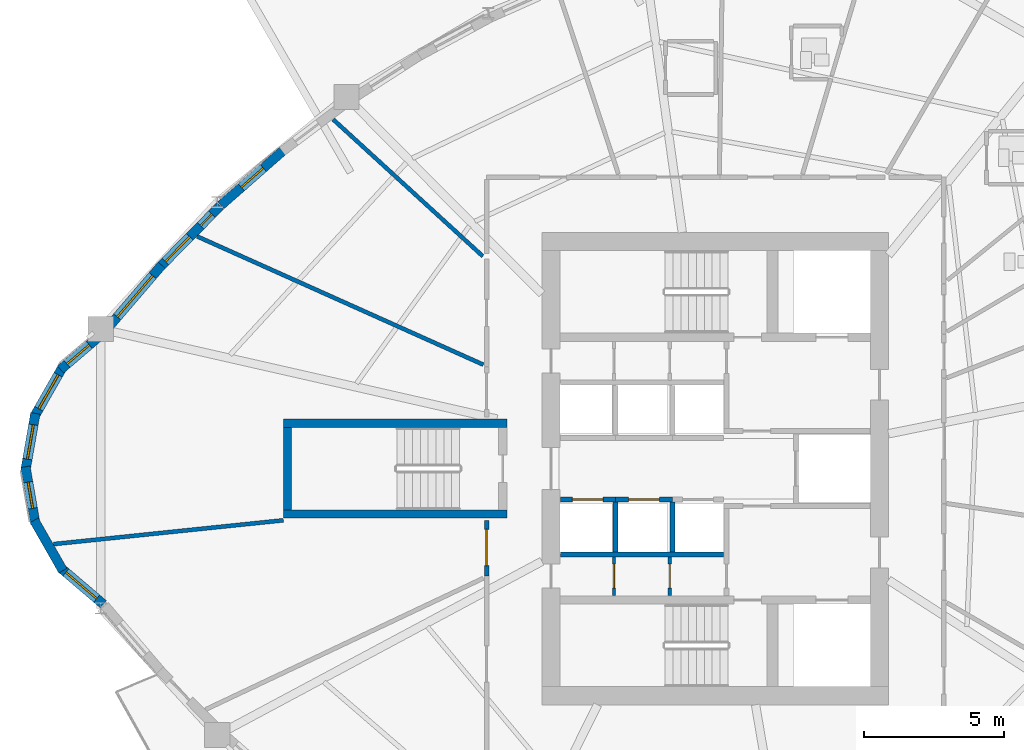
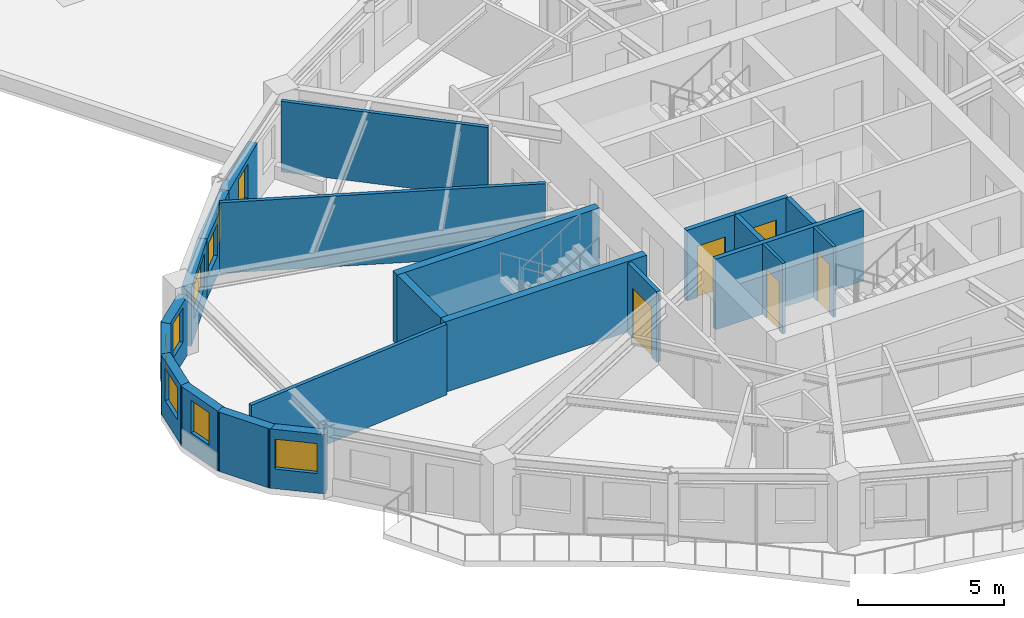
# One storey, part 4 of 13: 23 walls, 9 windows, 5 doors, 14 openings.
"""IFC4 building model written with IfcOpenShell, lengths in metres."""

from ifc_helpers import new_model, si_unit, direction, frame, frame_2d, origin, place, context, subcontext, project, spatial, rectangle, extrude, source, transform, mapped, material, layer, layer_set, type_object, element, fill, save


model = new_model("IFC4")

# Units and contexts
model_context = context("Model", 3, precision=1e-05, world=origin(), true_north=direction((0.0, 1.0)))
body_context = subcontext(model_context, "Body", "Model", "MODEL_VIEW")
ifc_project = project(units=[si_unit("LENGTHUNIT", "METRE"), si_unit("AREAUNIT", "SQUARE_METRE"), si_unit("VOLUMEUNIT", "CUBIC_METRE"), si_unit("PLANEANGLEUNIT", "RADIAN"), si_unit("MASSUNIT", "GRAM", prefix="KILO")], contexts=[model_context])

# Site, building, storey
site_placement = place(None, origin())
site = spatial("IfcSite", under=ifc_project, at=site_placement, CompositionType="ELEMENT")
building_placement = place(site_placement, origin())
building = spatial("IfcBuilding", under=site, at=building_placement, Name="Qafzar Sky-Pleat Residences", CompositionType="ELEMENT")
storey_placement = place(building_placement, frame((0.0, 0.0, 89.60009765625)))
storey = spatial("IfcBuildingStorey", under=building, at=storey_placement, Name="L26", CompositionType="ELEMENT", Elevation=89.60009765625)

# Wall, opening, door
ifc_material_1 = material(Name="Acoustic gypsum plasterboard partition", Category="gypsum")
ifc_layer_1 = layer(ifc_material_1, 0.159912109375)
ifc_layer_set_1 = layer_set([ifc_layer_1], Name="Acoustic gypsum plasterboard partition")
wall_type_1 = type_object("IfcWallType", Name="PART-COR-160", PredefinedType="PARTITIONING", material=ifc_layer_set_1)
wall_1_placement = place(storey_placement, frame((22.169921875, 22.1640625, 0.0), z_axis=(0.0, 0.0, 1.0), x_axis=(0.0, 1.0, 0.0)))
wall_1 = element("IfcWall", 1, at=wall_1_placement, inside=storey, type_object=wall_type_1, Name="L26 Partition Wall PART-L26-PW-014", PredefinedType="PARTITIONING", context=body_context, shape_type="SweptSolid", body=[
    extrude(rectangle(XDim=1.98583984375, YDim=0.159912109375, at=frame_2d((0.992919921875, 0.0))), origin(), (0.0, 0.0, 1.0), 2.949951171875),
])
opening_1_placement = place(wall_1_placement, frame((0.364990234375, 0.0, 0.0)))
opening_1 = element("IfcOpeningElement", 2, at=opening_1_placement, cuts=wall_1, Name="Opening ID-05", PredefinedType="OPENING", context=body_context, shape_type="SweptSolid", body=[
    extrude(rectangle(XDim=1.300048828125, YDim=2.10009765625, at=frame_2d((0.64990234375, 1.050048828125))), frame((0.0, 0.08984375, 0.0), z_axis=(0.0, -1.0, 0.0), x_axis=(1.0, 0.0, 0.0)), (0.0, 0.0, 1.0), 0.179931640625),
])
ifc_material_2 = material(Name="Timber-faced fire door", Category="wood")
door_type_1 = type_object("IfcDoorType", Name="DR-LNG-1300", OperationType="DOUBLE_DOOR_SINGLE_SWING", PredefinedType="DOOR", material=ifc_material_2)
shared_shape_1 = source(origin(), body_context, "Body", "SweptSolid", [
    extrude(rectangle(XDim=1.300048828125, YDim=2.10009765625, at=frame_2d((0.64990234375, 1.050048828125))), frame((0.0, 0.02490234375, 0.0), z_axis=(0.0, -1.0, 0.0), x_axis=(1.0, 0.0, 0.0)), (0.0, 0.0, 1.0), 0.050048828125),
])
door_1_placement = place(opening_1_placement, origin())
door_1 = element("IfcDoor", 3, at=door_1_placement, inside=storey, type_object=door_type_1, Name="L26 Research Conference Room Door", OperationType="DOUBLE_DOOR_SINGLE_SWING", OverallHeight=2.10009765625, OverallWidth=1.300048828125, PredefinedType="DOOR", context=body_context, shape_type="MappedRepresentation", body=[
    mapped(shared_shape_1, transform((0.0, 0.0, 0.0), x_axis=(1.0, 0.0, 0.0), y_axis=(0.0, 1.0, 0.0), z_axis=(0.0, 0.0, 1.0), scale=1.0)),
])
fill(opening_1, door_1)

# Wall
ifc_material_3 = material(Name="Concrete blockwork partition", Category="masonry")
ifc_layer_2 = layer(ifc_material_3, 0.179931640625)
ifc_layer_set_2 = layer_set([ifc_layer_2], Name="Concrete blockwork partition")
wall_type_2 = type_object("IfcWallType", Name="PART-SHAFT-180", PredefinedType="PARTITIONING", material=ifc_layer_set_2)
wall_2_placement = place(storey_placement, frame((24.81005859375, 22.919921875, 0.0), z_axis=(0.0, 0.0, 1.0), x_axis=(1.0, 0.0, 0.0)))
element("IfcWall", 4, at=wall_2_placement, inside=storey, type_object=wall_type_2, Name="L26 Partition Wall PART-L26-P13-S", PredefinedType="PARTITIONING", context=body_context, shape_type="SweptSolid", body=[
    extrude(rectangle(XDim=5.83984375, YDim=0.179931640625, at=frame_2d((2.919921875, 0.0))), origin(), (0.0, 0.0, 1.0), 2.949951171875),
])

# Wall, opening, door
wall_3_placement = place(storey_placement, frame((24.81005859375, 24.89990234375, 0.0), z_axis=(0.0, 0.0, 1.0), x_axis=(1.0, 0.0, 0.0)))
wall_3 = element("IfcWall", 5, at=wall_3_placement, inside=storey, type_object=wall_type_2, Name="L26 Partition Wall PART-L26-P1-N", PredefinedType="PARTITIONING", context=body_context, shape_type="SweptSolid", body=[
    extrude(rectangle(XDim=1.96484375, YDim=0.179931640625, at=frame_2d((0.982421875, 0.0))), origin(), (0.0, 0.0, 1.0), 2.949951171875),
])
opening_2_placement = place(wall_3_placement, frame((0.4326171875, 0.0, 0.0)))
opening_2 = element("IfcOpeningElement", 6, at=opening_2_placement, cuts=wall_3, Name="Opening LD-01", PredefinedType="OPENING", context=body_context, shape_type="SweptSolid", body=[
    extrude(rectangle(XDim=1.10009765625, YDim=2.14990234375, at=frame_2d((0.550048828125, 1.074951171875))), frame((0.0, 0.10009765625, 0.0), z_axis=(0.0, -1.0, 0.0), x_axis=(1.0, 0.0, 0.0)), (0.0, 0.0, 1.0), 0.199951171875),
])
ifc_material_4 = material(Name="Stainless steel sliding landing door", Category="steel")
door_type_2 = type_object("IfcDoorType", Name="DR-LIFT-P", OperationType="DOUBLE_DOOR_SLIDING", PredefinedType="DOOR", material=ifc_material_4)
shared_shape_2 = source(origin(), body_context, "Body", "SweptSolid", [
    extrude(rectangle(XDim=1.10009765625, YDim=2.14990234375, at=frame_2d((0.550048828125, 1.074951171875))), frame((0.0, 0.02490234375, 0.0), z_axis=(0.0, -1.0, 0.0), x_axis=(1.0, 0.0, 0.0)), (0.0, 0.0, 1.0), 0.050048828125),
])
door_2_placement = place(opening_2_placement, origin())
door_2 = element("IfcDoor", 7, at=door_2_placement, inside=storey, type_object=door_type_2, Name="L26 Passenger Lift P1 Landing Door", OperationType="DOUBLE_DOOR_SLIDING", OverallHeight=2.14990234375, OverallWidth=1.10009765625, PredefinedType="DOOR", context=body_context, shape_type="MappedRepresentation", body=[
    mapped(shared_shape_2, transform((0.0, 0.0, 0.0), x_axis=(1.0, 0.0, 0.0), y_axis=(0.0, 1.0, 0.0), z_axis=(0.0, 0.0, 1.0), scale=1.0)),
])
fill(opening_2, door_2)

wall_4_placement = place(storey_placement, frame((26.77490234375, 24.89990234375, 0.0), z_axis=(0.0, 0.0, 1.0), x_axis=(1.0, 0.0, 0.0)))
wall_4 = element("IfcWall", 8, at=wall_4_placement, inside=storey, type_object=wall_type_2, Name="L26 Partition Wall PART-L26-P2-N", PredefinedType="PARTITIONING", context=body_context, shape_type="SweptSolid", body=[
    extrude(rectangle(XDim=2.050048828125, YDim=0.179931640625, at=frame_2d((1.02490234375, 0.0))), origin(), (0.0, 0.0, 1.0), 2.949951171875),
])
opening_3_placement = place(wall_4_placement, frame((0.47509765625, 0.0, 0.0)))
opening_3 = element("IfcOpeningElement", 9, at=opening_3_placement, cuts=wall_4, Name="Opening LD-01", PredefinedType="OPENING", context=body_context, shape_type="SweptSolid", body=[
    extrude(rectangle(XDim=1.10009765625, YDim=2.14990234375, at=frame_2d((0.550048828125, 1.074951171875))), frame((0.0, 0.10009765625, 0.0), z_axis=(0.0, -1.0, 0.0), x_axis=(1.0, 0.0, 0.0)), (0.0, 0.0, 1.0), 0.199951171875),
])
door_3_placement = place(opening_3_placement, origin())
door_3 = element("IfcDoor", 10, at=door_3_placement, inside=storey, type_object=door_type_2, Name="L26 Passenger Lift P2 Landing Door", OperationType="DOUBLE_DOOR_SLIDING", OverallHeight=2.14990234375, OverallWidth=1.10009765625, PredefinedType="DOOR", context=body_context, shape_type="MappedRepresentation", body=[
    mapped(shared_shape_2, transform((0.0, 0.0, 0.0), x_axis=(1.0, 0.0, 0.0), y_axis=(0.0, 1.0, 0.0), z_axis=(0.0, 0.0, 1.0), scale=1.0)),
])
fill(opening_3, door_3)

# Walls
for number, where, z_axis, x_axis, name in (
    (11, (26.77490234375, 23.02001953125, 0.0), (0.0, 0.0, 1.0), (0.0, 1.0, 0.0), "L26 Partition Wall PART-L26-P13-DIV-1"),
    (12, (28.824951171875, 23.02001953125, 0.0), (0.0, 0.0, 1.0), (0.0, 1.0, 0.0), "L26 Partition Wall PART-L26-P13-DIV-2"),
):
    element("IfcWall", number, at=place(storey_placement, frame(where, z_axis=z_axis, x_axis=x_axis)), inside=storey, type_object=wall_type_2, Name=name, PredefinedType="PARTITIONING", context=body_context, shape_type="SweptSolid", body=[
        extrude(rectangle(XDim=1.780029296875, YDim=0.179931640625, at=frame_2d((0.89013671875, 0.0))), origin(), (0.0, 0.0, 1.0), 2.949951171875),
    ])

# Wall, opening, door
ifc_material_5 = material(Name="Gypsum plasterboard partition", Category="gypsum")
ifc_layer_3 = layer(ifc_material_5, 0.114990234375)
ifc_layer_set_3 = layer_set([ifc_layer_3], Name="Gypsum plasterboard partition")
wall_type_3 = type_object("IfcWallType", Name="PART-SVC-115", PredefinedType="PARTITIONING", material=ifc_layer_set_3)
wall_5_placement = place(storey_placement, frame((26.72509765625, 21.4599609375, 0.0), z_axis=(0.0, 0.0, 1.0), x_axis=(0.0, 1.0, 0.0)))
wall_5 = element("IfcWall", 13, at=wall_5_placement, inside=storey, type_object=wall_type_3, Name="L26 Partition Wall PART-L26-KC-SW-1", PredefinedType="PARTITIONING", context=body_context, shape_type="SweptSolid", body=[
    extrude(rectangle(XDim=1.380126953125, YDim=0.114990234375, at=frame_2d((0.68994140625, 0.0))), origin(), (0.0, 0.0, 1.0), 2.949951171875),
])
opening_4_placement = place(wall_5_placement, frame((0.260009765625, 0.0, 0.0)))
opening_4 = element("IfcOpeningElement", 14, at=opening_4_placement, cuts=wall_5, Name="Opening ID-09", PredefinedType="OPENING", context=body_context, shape_type="SweptSolid", body=[
    extrude(rectangle(XDim=0.860107421875, YDim=2.050048828125, at=frame_2d((0.43017578125, 1.02490234375))), frame((0.0, 0.0673828125, 0.0), z_axis=(0.0, -1.0, 0.0), x_axis=(1.0, 0.0, 0.0)), (0.0, 0.0, 1.0), 0.135009765625),
])
door_type_3 = type_object("IfcDoorType", Name="DR-SVC-860", OperationType="NOTDEFINED", PredefinedType="DOOR", material=ifc_material_2)
shared_shape_3 = source(origin(), body_context, "Body", "SweptSolid", [
    extrude(rectangle(XDim=0.860107421875, YDim=2.050048828125, at=frame_2d((0.43017578125, 1.02490234375))), frame((0.0, 0.02490234375, 0.0), z_axis=(0.0, -1.0, 0.0), x_axis=(1.0, 0.0, 0.0)), (0.0, 0.0, 1.0), 0.050048828125),
])
door_4_placement = place(opening_4_placement, origin())
door_4 = element("IfcDoor", 15, at=door_4_placement, inside=storey, type_object=door_type_3, Name="L26 Core South Cupboard 1 Door", OperationType="SINGLE_SWING_RIGHT", OverallHeight=2.050048828125, OverallWidth=0.860107421875, PredefinedType="DOOR", context=body_context, shape_type="MappedRepresentation", body=[
    mapped(shared_shape_3, transform((0.0, 0.0, 0.0), x_axis=(1.0, 0.0, 0.0), y_axis=(0.0, 1.0, 0.0), z_axis=(0.0, 0.0, 1.0), scale=1.0)),
])
fill(opening_4, door_4)

wall_6_placement = place(storey_placement, frame((28.72509765625, 21.4599609375, 0.0), z_axis=(0.0, 0.0, 1.0), x_axis=(0.0, 1.0, 0.0)))
wall_6 = element("IfcWall", 16, at=wall_6_placement, inside=storey, type_object=wall_type_3, Name="L26 Partition Wall PART-L26-KC-SW-2", PredefinedType="PARTITIONING", context=body_context, shape_type="SweptSolid", body=[
    extrude(rectangle(XDim=1.380126953125, YDim=0.114990234375, at=frame_2d((0.68994140625, 0.0))), origin(), (0.0, 0.0, 1.0), 2.949951171875),
])
opening_5_placement = place(wall_6_placement, frame((0.260009765625, 0.0, 0.0)))
opening_5 = element("IfcOpeningElement", 17, at=opening_5_placement, cuts=wall_6, Name="Opening ID-09", PredefinedType="OPENING", context=body_context, shape_type="SweptSolid", body=[
    extrude(rectangle(XDim=0.860107421875, YDim=2.050048828125, at=frame_2d((0.43017578125, 1.02490234375))), frame((0.0, 0.0673828125, 0.0), z_axis=(0.0, -1.0, 0.0), x_axis=(1.0, 0.0, 0.0)), (0.0, 0.0, 1.0), 0.135009765625),
])
door_5_placement = place(opening_5_placement, origin())
door_5 = element("IfcDoor", 18, at=door_5_placement, inside=storey, type_object=door_type_3, Name="L26 Core South Cupboard 2 Door", OperationType="SINGLE_SWING_RIGHT", OverallHeight=2.050048828125, OverallWidth=0.860107421875, PredefinedType="DOOR", context=body_context, shape_type="MappedRepresentation", body=[
    mapped(shared_shape_3, transform((0.0, 0.0, 0.0), x_axis=(1.0, 0.0, 0.0), y_axis=(0.0, 1.0, 0.0), z_axis=(0.0, 0.0, 1.0), scale=1.0)),
])
fill(opening_5, door_5)

# Walls
ifc_layer_4 = layer(ifc_material_1, 0.14501953125)
ifc_layer_set_4 = layer_set([ifc_layer_4], Name="Acoustic gypsum plasterboard partition")
wall_type_4 = type_object("IfcWallType", Name="PART-UNIT-145", PredefinedType="PARTITIONING", material=ifc_layer_set_4)
wall_7_placement = place(storey_placement, frame((11.816650390625, 34.306640625, 0.0), z_axis=(0.0, 0.0, 1.0), x_axis=(0.912528092457, -0.409014034572, 0.0)))
element("IfcWall", 19, at=wall_7_placement, inside=storey, type_object=wall_type_4, Name="L26 Partition Wall PART-L26-PW-022", PredefinedType="PARTITIONING", context=body_context, shape_type="SweptSolid", body=[
    extrude(rectangle(XDim=11.217529296875, YDim=0.14501953125, at=frame_2d((5.60888671875, 0.0))), origin(), (0.0, 0.0, 1.0), 2.949951171875),
])
wall_8_placement = place(storey_placement, frame((6.677978515625, 23.298583984375, 0.0), z_axis=(0.0, 0.0, 1.0), x_axis=(0.994682199009, 0.102991858774, 0.0)))
element("IfcWall", 20, at=wall_8_placement, inside=storey, type_object=wall_type_4, Name="L26 Partition Wall PART-L26-PW-028", PredefinedType="PARTITIONING", context=body_context, shape_type="SweptSolid", body=[
    extrude(rectangle(XDim=8.265869140625, YDim=0.14501953125, at=frame_2d((4.1328125, 0.0))), origin(), (0.0, 0.0, 1.0), 2.949951171875),
])
wall_9_placement = place(storey_placement, frame((16.68310546875, 38.49072265625, 0.0), z_axis=(0.0, 0.0, 1.0), x_axis=(0.738145700324, -0.674641330704, 0.0)))
element("IfcWall", 21, at=wall_9_placement, inside=storey, type_object=wall_type_4, Name="L26 Partition Wall PART-L26-PW-029", PredefinedType="PARTITIONING", context=body_context, shape_type="SweptSolid", body=[
    extrude(rectangle(XDim=7.250732421875, YDim=0.14501953125, at=frame_2d((3.62548828125, 0.0))), origin(), (0.0, 0.0, 1.0), 2.949951171875),
])

# Wall, opening, window
ifc_material_6 = material(Name="Precast concrete C40/50 with honed Riyadh limestone", Category="concrete")
ifc_layer_5 = layer(ifc_material_6, 0.340087890625)
ifc_layer_set_5 = layer_set([ifc_layer_5], Name="Precast concrete C40/50 with honed Riyadh limestone")
wall_type_5 = type_object("IfcWallType", Name="WALL-EXT-340", PredefinedType="SOLIDWALL", material=ifc_layer_set_5)
wall_10_placement = place(storey_placement, frame((8.30029296875, 30.7177734375, 0.0), z_axis=(0.0, 0.0, 1.0), x_axis=(-0.761191299493, -0.648527413126, 0.0)))
wall_10 = element("IfcWall", 22, at=wall_10_placement, inside=storey, type_object=wall_type_5, Name="L26 Limestone Facade Wall 1", PredefinedType="SOLIDWALL", context=body_context, shape_type="SweptSolid", body=[
    extrude(rectangle(XDim=1.80517578125, YDim=0.340087890625, at=frame_2d((0.902587890625, 0.0))), origin(), (0.0, 0.0, 1.0), 2.47998046875),
])
opening_6_placement = place(wall_10_placement, frame((0.452392578125, 0.0, 0.820068359375)))
opening_6 = element("IfcOpeningElement", 23, at=opening_6_placement, cuts=wall_10, Name="Opening WN-06", PredefinedType="OPENING", context=body_context, shape_type="SweptSolid", body=[
    extrude(rectangle(XDim=1.050048828125, YDim=1.449951171875, at=frame_2d((0.52490234375, 0.72509765625))), frame((0.0, 0.18017578125, 0.0), z_axis=(0.0, -1.0, 0.0), x_axis=(1.0, 0.0, 0.0)), (0.0, 0.0, 1.0), 0.360107421875),
])
ifc_material_7 = material(Name="Solar-control low-E glass in bronze aluminium frame", Category="glass")
window_type_1 = type_object("IfcWindowType", Name="WIN-06", PartitioningType="SINGLE_PANEL", PredefinedType="WINDOW", material=ifc_material_7)
shared_shape_4 = source(origin(), body_context, "Body", "SweptSolid", [
    extrude(rectangle(XDim=1.050048828125, YDim=1.449951171875, at=frame_2d((0.52490234375, 0.72509765625))), frame((0.0, 0.030029296875, 0.0), z_axis=(0.0, -1.0, 0.0), x_axis=(1.0, 0.0, 0.0)), (0.0, 0.0, 1.0), 0.06005859375),
])
window_1_placement = place(opening_6_placement, origin())
window_1 = element("IfcWindow", 24, at=window_1_placement, inside=storey, type_object=window_type_1, Name="L26 Punched Facade Window 01", OverallHeight=1.449951171875, OverallWidth=1.050048828125, PartitioningType="SINGLE_PANEL", PredefinedType="WINDOW", context=body_context, shape_type="MappedRepresentation", body=[
    mapped(shared_shape_4, transform((0.0, 0.0, 0.0), x_axis=(1.0, 0.0, 0.0), y_axis=(0.0, 1.0, 0.0), z_axis=(0.0, 0.0, 1.0), scale=1.0)),
])
fill(opening_6, window_1)

wall_11_placement = place(storey_placement, frame((7.011474609375, 29.64990234375, 0.0), z_axis=(0.0, 0.0, 1.0), x_axis=(-0.496037473582, -0.868301114132, 0.0)))
wall_11 = element("IfcWall", 25, at=wall_11_placement, inside=storey, type_object=wall_type_5, Name="L26 Limestone Facade Wall 2", PredefinedType="SOLIDWALL", context=body_context, shape_type="SweptSolid", body=[
    extrude(rectangle(XDim=2.072998046875, YDim=0.340087890625, at=frame_2d((1.03662109375, 0.0))), origin(), (0.0, 0.0, 1.0), 2.47998046875),
])
opening_7_placement = place(wall_11_placement, frame((0.33642578125, 0.0, 0.820068359375)))
opening_7 = element("IfcOpeningElement", 26, at=opening_7_placement, cuts=wall_11, Name="Opening WN-10", PredefinedType="OPENING", context=body_context, shape_type="SweptSolid", body=[
    extrude(rectangle(XDim=1.39990234375, YDim=1.35009765625, at=frame_2d((0.699951171875, 0.675048828125))), frame((0.0, 0.18017578125, 0.0), z_axis=(0.0, -1.0, 0.0), x_axis=(1.0, 0.0, 0.0)), (0.0, 0.0, 1.0), 0.360107421875),
])
window_type_2 = type_object("IfcWindowType", Name="WIN-10", PartitioningType="SINGLE_PANEL", PredefinedType="WINDOW", material=ifc_material_7)
shared_shape_5 = source(origin(), body_context, "Body", "SweptSolid", [
    extrude(rectangle(XDim=1.39990234375, YDim=1.35009765625, at=frame_2d((0.699951171875, 0.675048828125))), frame((0.0, 0.030029296875, 0.0), z_axis=(0.0, -1.0, 0.0), x_axis=(1.0, 0.0, 0.0)), (0.0, 0.0, 1.0), 0.06005859375),
])
window_2_placement = place(opening_7_placement, origin())
window_2 = element("IfcWindow", 27, at=window_2_placement, inside=storey, type_object=window_type_2, Name="L26 Punched Facade Window 02", OverallHeight=1.35009765625, OverallWidth=1.39990234375, PartitioningType="SINGLE_PANEL", PredefinedType="WINDOW", context=body_context, shape_type="MappedRepresentation", body=[
    mapped(shared_shape_5, transform((0.0, 0.0, 0.0), x_axis=(1.0, 0.0, 0.0), y_axis=(0.0, 1.0, 0.0), z_axis=(0.0, 0.0, 1.0), scale=1.0)),
])
fill(opening_7, window_2)

wall_12_placement = place(storey_placement, frame((6.0283203125, 27.975341796875, 0.0), z_axis=(0.0, 0.0, 1.0), x_axis=(-0.172186061474, -0.985064444711, 0.0)))
wall_12 = element("IfcWall", 28, at=wall_12_placement, inside=storey, type_object=wall_type_5, Name="L26 Limestone Facade Wall 3", PredefinedType="SOLIDWALL", context=body_context, shape_type="SweptSolid", body=[
    extrude(rectangle(XDim=2.072998046875, YDim=0.340087890625, at=frame_2d((1.03662109375, 0.0))), origin(), (0.0, 0.0, 1.0), 2.47998046875),
])
opening_8_placement = place(wall_12_placement, frame((0.41162109375, 0.0, 0.820068359375)))
opening_8 = element("IfcOpeningElement", 29, at=opening_8_placement, cuts=wall_12, Name="Opening WN-11", PredefinedType="OPENING", context=body_context, shape_type="SweptSolid", body=[
    extrude(rectangle(XDim=1.25, YDim=1.35009765625, at=frame_2d((0.625, 0.675048828125))), frame((0.0, 0.18017578125, 0.0), z_axis=(0.0, -1.0, 0.0), x_axis=(1.0, 0.0, 0.0)), (0.0, 0.0, 1.0), 0.360107421875),
])
window_type_3 = type_object("IfcWindowType", Name="WIN-11", PartitioningType="SINGLE_PANEL", PredefinedType="WINDOW", material=ifc_material_7)
shared_shape_6 = source(origin(), body_context, "Body", "SweptSolid", [
    extrude(rectangle(XDim=1.25, YDim=1.35009765625, at=frame_2d((0.625, 0.675048828125))), frame((0.0, 0.030029296875, 0.0), z_axis=(0.0, -1.0, 0.0), x_axis=(1.0, 0.0, 0.0)), (0.0, 0.0, 1.0), 0.06005859375),
])
window_3_placement = place(opening_8_placement, origin())
window_3 = element("IfcWindow", 30, at=window_3_placement, inside=storey, type_object=window_type_3, Name="L26 Punched Facade Window 03", OverallHeight=1.35009765625, OverallWidth=1.25, PartitioningType="SINGLE_PANEL", PredefinedType="WINDOW", context=body_context, shape_type="MappedRepresentation", body=[
    mapped(shared_shape_6, transform((0.0, 0.0, 0.0), x_axis=(1.0, 0.0, 0.0), y_axis=(0.0, 1.0, 0.0), z_axis=(0.0, 0.0, 1.0), scale=1.0)),
])
fill(opening_8, window_3)

wall_13_placement = place(storey_placement, frame((5.67138671875, 26.066650390625, 0.0), z_axis=(0.0, 0.0, 1.0), x_axis=(0.172186061474, -0.985064444711, 0.0)))
wall_13 = element("IfcWall", 31, at=wall_13_placement, inside=storey, type_object=wall_type_5, Name="L26 Limestone Facade Wall 4", PredefinedType="SOLIDWALL", context=body_context, shape_type="SweptSolid", body=[
    extrude(rectangle(XDim=2.072998046875, YDim=0.340087890625, at=frame_2d((1.03662109375, 0.0))), origin(), (0.0, 0.0, 1.0), 2.47998046875),
])
opening_9_placement = place(wall_13_placement, frame((0.5615234375, 0.0, 0.820068359375)))
opening_9 = element("IfcOpeningElement", 32, at=opening_9_placement, cuts=wall_13, Name="Opening WN-12", PredefinedType="OPENING", context=body_context, shape_type="SweptSolid", body=[
    extrude(rectangle(XDim=0.949951171875, YDim=1.35009765625, at=frame_2d((0.47509765625, 0.675048828125))), frame((0.0, 0.18017578125, 0.0), z_axis=(0.0, -1.0, 0.0), x_axis=(1.0, 0.0, 0.0)), (0.0, 0.0, 1.0), 0.360107421875),
])
window_type_4 = type_object("IfcWindowType", Name="WIN-12", PartitioningType="SINGLE_PANEL", PredefinedType="WINDOW", material=ifc_material_7)
shared_shape_7 = source(origin(), body_context, "Body", "SweptSolid", [
    extrude(rectangle(XDim=0.949951171875, YDim=1.35009765625, at=frame_2d((0.47509765625, 0.675048828125))), frame((0.0, 0.030029296875, 0.0), z_axis=(0.0, -1.0, 0.0), x_axis=(1.0, 0.0, 0.0)), (0.0, 0.0, 1.0), 0.06005859375),
])
window_4_placement = place(opening_9_placement, origin())
window_4 = element("IfcWindow", 33, at=window_4_placement, inside=storey, type_object=window_type_4, Name="L26 Punched Facade Window 04", OverallHeight=1.35009765625, OverallWidth=0.949951171875, PartitioningType="SINGLE_PANEL", PredefinedType="WINDOW", context=body_context, shape_type="MappedRepresentation", body=[
    mapped(shared_shape_7, transform((0.0, 0.0, 0.0), x_axis=(1.0, 0.0, 0.0), y_axis=(0.0, 1.0, 0.0), z_axis=(0.0, 0.0, 1.0), scale=1.0)),
])
fill(opening_9, window_4)

# Wall
wall_14_placement = place(storey_placement, frame((5.983154296875, 24.150146484375, 0.0), z_axis=(0.0, 0.0, 1.0), x_axis=(0.496037473582, -0.868301114132, 0.0)))
element("IfcWall", 34, at=wall_14_placement, inside=storey, type_object=wall_type_5, Name="L26 Limestone Facade Wall 5", PredefinedType="SOLIDWALL", context=body_context, shape_type="SweptSolid", body=[
    extrude(rectangle(XDim=2.072998046875, YDim=0.340087890625, at=frame_2d((1.03662109375, 0.0))), origin(), (0.0, 0.0, 1.0), 2.47998046875),
])

# Wall, opening, window
wall_15_placement = place(storey_placement, frame((6.92626953125, 22.452880859375, 0.0), z_axis=(0.0, 0.0, 1.0), x_axis=(0.76114353683, -0.648583469063, 0.0)))
wall_15 = element("IfcWall", 35, at=wall_15_placement, inside=storey, type_object=wall_type_5, Name="L26 Limestone Facade Wall 6", PredefinedType="SOLIDWALL", context=body_context, shape_type="SweptSolid", body=[
    extrude(rectangle(XDim=2.014892578125, YDim=0.340087890625, at=frame_2d((1.00732421875, 0.0))), origin(), (0.0, 0.0, 1.0), 2.47998046875),
])
opening_10_placement = place(wall_15_placement, frame((0.25244140625, 0.0, 0.820068359375)))
opening_10 = element("IfcOpeningElement", 36, at=opening_10_placement, cuts=wall_15, Name="Opening WN-15", PredefinedType="OPENING", context=body_context, shape_type="SweptSolid", body=[
    extrude(rectangle(XDim=1.449951171875, YDim=1.25, at=frame_2d((0.72509765625, 0.625))), frame((0.0, 0.18017578125, 0.0), z_axis=(0.0, -1.0, 0.0), x_axis=(1.0, 0.0, 0.0)), (0.0, 0.0, 1.0), 0.360107421875),
])
window_type_5 = type_object("IfcWindowType", Name="WIN-15", PartitioningType="SINGLE_PANEL", PredefinedType="WINDOW", material=ifc_material_7)
shared_shape_8 = source(origin(), body_context, "Body", "SweptSolid", [
    extrude(rectangle(XDim=1.449951171875, YDim=1.25, at=frame_2d((0.72509765625, 0.625))), frame((0.0, 0.030029296875, 0.0), z_axis=(0.0, -1.0, 0.0), x_axis=(1.0, 0.0, 0.0)), (0.0, 0.0, 1.0), 0.06005859375),
])
window_5_placement = place(opening_10_placement, origin())
window_5 = element("IfcWindow", 37, at=window_5_placement, inside=storey, type_object=window_type_5, Name="L26 Punched Facade Window 06", OverallHeight=1.25, OverallWidth=1.449951171875, PartitioningType="SINGLE_PANEL", PredefinedType="WINDOW", context=body_context, shape_type="MappedRepresentation", body=[
    mapped(shared_shape_8, transform((0.0, 0.0, 0.0), x_axis=(1.0, 0.0, 0.0), y_axis=(0.0, 1.0, 0.0), z_axis=(0.0, 0.0, 1.0), scale=1.0)),
])
fill(opening_10, window_5)

wall_16_placement = place(storey_placement, frame((14.92919921875, 37.41162109375, 0.0), z_axis=(0.0, 0.0, 1.0), x_axis=(-0.751438268977, -0.659803400959, 0.0)))
wall_16 = element("IfcWall", 38, at=wall_16_placement, inside=storey, type_object=wall_type_5, Name="L26 Limestone Facade Wall 46", PredefinedType="SOLIDWALL", context=body_context, shape_type="SweptSolid", body=[
    extrude(rectangle(XDim=3.0185546875, YDim=0.340087890625, at=frame_2d((1.50927734375, 0.0))), origin(), (0.0, 0.0, 1.0), 2.47998046875),
])
opening_11_placement = place(wall_16_placement, frame((0.994384765625, 0.0, 0.820068359375)))
opening_11 = element("IfcOpeningElement", 39, at=opening_11_placement, cuts=wall_16, Name="Opening WN-06", PredefinedType="OPENING", context=body_context, shape_type="SweptSolid", body=[
    extrude(rectangle(XDim=1.050048828125, YDim=1.449951171875, at=frame_2d((0.52490234375, 0.72509765625))), frame((0.0, 0.18017578125, 0.0), z_axis=(0.0, -1.0, 0.0), x_axis=(1.0, 0.0, 0.0)), (0.0, 0.0, 1.0), 0.360107421875),
])
window_6_placement = place(opening_11_placement, origin())
window_6 = element("IfcWindow", 40, at=window_6_placement, inside=storey, type_object=window_type_1, Name="L26 Punched Facade Window 46", OverallHeight=1.449951171875, OverallWidth=1.050048828125, PartitioningType="SINGLE_PANEL", PredefinedType="WINDOW", context=body_context, shape_type="MappedRepresentation", body=[
    mapped(shared_shape_4, transform((0.0, 0.0, 0.0), x_axis=(1.0, 0.0, 0.0), y_axis=(0.0, 1.0, 0.0), z_axis=(0.0, 0.0, 1.0), scale=1.0)),
])
fill(opening_11, window_6)

# Wall, openings, windows
wall_17_placement = place(storey_placement, frame((12.640625, 35.40087890625, 0.0), z_axis=(0.0, 0.0, 1.0), x_axis=(-0.701955968499, -0.712220343917, 0.0)))
wall_17 = element("IfcWall", 41, at=wall_17_placement, inside=storey, type_object=wall_type_5, Name="L26 Limestone Facade Wall 47", PredefinedType="SOLIDWALL", context=body_context, shape_type="SweptSolid", body=[
    extrude(rectangle(XDim=3.068359375, YDim=0.340087890625, at=frame_2d((1.5341796875, 0.0))), origin(), (0.0, 0.0, 1.0), 2.47998046875),
])
opening_12_placement = place(wall_17_placement, frame((0.422607421875, 0.0, 0.820068359375)))
opening_12 = element("IfcOpeningElement", 42, at=opening_12_placement, cuts=wall_17, Name="Opening WN-17", PredefinedType="OPENING", context=body_context, shape_type="SweptSolid", body=[
    extrude(rectangle(XDim=0.580078125, YDim=1.35009765625, at=frame_2d((0.2900390625, 0.675048828125))), frame((0.0, 0.18017578125, 0.0), z_axis=(0.0, -1.0, 0.0), x_axis=(1.0, 0.0, 0.0)), (0.0, 0.0, 1.0), 0.360107421875),
])
opening_13_placement = place(wall_17_placement, frame((1.552001953125, 0.0, 0.820068359375)))
opening_13 = element("IfcOpeningElement", 43, at=opening_13_placement, cuts=wall_17, Name="Opening WN-11", PredefinedType="OPENING", context=body_context, shape_type="SweptSolid", body=[
    extrude(rectangle(XDim=1.25, YDim=1.35009765625, at=frame_2d((0.625, 0.675048828125))), frame((0.0, 0.18017578125, 0.0), z_axis=(0.0, -1.0, 0.0), x_axis=(1.0, 0.0, 0.0)), (0.0, 0.0, 1.0), 0.360107421875),
])
window_type_6 = type_object("IfcWindowType", Name="WIN-17", PartitioningType="SINGLE_PANEL", PredefinedType="WINDOW", material=ifc_material_7)
shared_shape_9 = source(origin(), body_context, "Body", "SweptSolid", [
    extrude(rectangle(XDim=0.580078125, YDim=1.35009765625, at=frame_2d((0.2900390625, 0.675048828125))), frame((0.0, 0.030029296875, 0.0), z_axis=(0.0, -1.0, 0.0), x_axis=(1.0, 0.0, 0.0)), (0.0, 0.0, 1.0), 0.06005859375),
])
window_7_placement = place(opening_12_placement, origin())
window_7 = element("IfcWindow", 44, at=window_7_placement, inside=storey, type_object=window_type_6, Name="L26 Punched Facade Window 47", OverallHeight=1.35009765625, OverallWidth=0.580078125, PartitioningType="SINGLE_PANEL", PredefinedType="WINDOW", context=body_context, shape_type="MappedRepresentation", body=[
    mapped(shared_shape_9, transform((0.0, 0.0, 0.0), x_axis=(1.0, 0.0, 0.0), y_axis=(0.0, 1.0, 0.0), z_axis=(0.0, 0.0, 1.0), scale=1.0)),
])
fill(opening_12, window_7)
window_8_placement = place(opening_13_placement, origin())
window_8 = element("IfcWindow", 45, at=window_8_placement, inside=storey, type_object=window_type_3, Name="L26 Punched Facade Window 47-2", OverallHeight=1.35009765625, OverallWidth=1.25, PartitioningType="SINGLE_PANEL", PredefinedType="WINDOW", context=body_context, shape_type="MappedRepresentation", body=[
    mapped(shared_shape_6, transform((0.0, 0.0, 0.0), x_axis=(1.0, 0.0, 0.0), y_axis=(0.0, 1.0, 0.0), z_axis=(0.0, 0.0, 1.0), scale=1.0)),
])
fill(opening_13, window_8)

# Wall, opening, window
wall_18_placement = place(storey_placement, frame((10.546142578125, 33.2802734375, 0.0), z_axis=(0.0, 0.0, 1.0), x_axis=(-0.6506950883, -0.759339121909, 0.0)))
wall_18 = element("IfcWall", 46, at=wall_18_placement, inside=storey, type_object=wall_type_5, Name="L26 Limestone Facade Wall 48", PredefinedType="SOLIDWALL", context=body_context, shape_type="SweptSolid", body=[
    extrude(rectangle(XDim=2.923583984375, YDim=0.340087890625, at=frame_2d((1.4619140625, 0.0))), origin(), (0.0, 0.0, 1.0), 2.47998046875),
])
opening_14_placement = place(wall_18_placement, frame((0.49169921875, 0.0, 0.820068359375)))
opening_14 = element("IfcOpeningElement", 47, at=opening_14_placement, cuts=wall_18, Name="Opening WN-08", PredefinedType="OPENING", context=body_context, shape_type="SweptSolid", body=[
    extrude(rectangle(XDim=1.949951171875, YDim=1.39990234375, at=frame_2d((0.97509765625, 0.699951171875))), frame((0.0, 0.18017578125, 0.0), z_axis=(0.0, -1.0, 0.0), x_axis=(1.0, 0.0, 0.0)), (0.0, 0.0, 1.0), 0.360107421875),
])
window_type_7 = type_object("IfcWindowType", Name="WIN-08", PartitioningType="DOUBLE_PANEL_VERTICAL", PredefinedType="WINDOW", material=ifc_material_7)
shared_shape_10 = source(origin(), body_context, "Body", "SweptSolid", [
    extrude(rectangle(XDim=1.949951171875, YDim=1.39990234375, at=frame_2d((0.97509765625, 0.699951171875))), frame((0.0, 0.030029296875, 0.0), z_axis=(0.0, -1.0, 0.0), x_axis=(1.0, 0.0, 0.0)), (0.0, 0.0, 1.0), 0.06005859375),
])
window_9_placement = place(opening_14_placement, origin())
window_9 = element("IfcWindow", 48, at=window_9_placement, inside=storey, type_object=window_type_7, Name="L26 Punched Facade Window 48", OverallHeight=1.39990234375, OverallWidth=1.949951171875, PartitioningType="SINGLE_PANEL", PredefinedType="WINDOW", context=body_context, shape_type="MappedRepresentation", body=[
    mapped(shared_shape_10, transform((0.0, 0.0, 0.0), x_axis=(1.0, 0.0, 0.0), y_axis=(0.0, 1.0, 0.0), z_axis=(0.0, 0.0, 1.0), scale=1.0)),
])
fill(opening_14, window_9)

# Walls
ifc_material_8 = material(Name="Concrete C60/75", Category="concrete")
ifc_layer_6 = layer(ifc_material_8, 0.300048828125)
ifc_layer_set_6 = layer_set([ifc_layer_6], Name="Concrete C60/75")
wall_type_6 = type_object("IfcWallType", Name="WALL-SHEAR-300", PredefinedType="SHEAR", material=ifc_layer_set_6)
for number, where, z_axis, x_axis, name in (
    (49, (14.89990234375, 24.375, 0.0), (0.0, 0.0, 1.0), (1.0, 0.0, 0.0), "L26 ST3 wall S"),
    (50, (22.89990234375, 27.625, 0.0), (0.0, 0.0, 1.0), (-1.0, 0.0, 0.0), "L26 ST3 wall N"),
):
    element("IfcWall", number, at=place(storey_placement, frame(where, z_axis=z_axis, x_axis=x_axis)), inside=storey, type_object=wall_type_6, Name=name, PredefinedType="SHEAR", context=body_context, shape_type="SweptSolid", body=[
        extrude(rectangle(XDim=8.0, YDim=0.300048828125, at=frame_2d((4.0, 0.0))), origin(), (0.0, 0.0, 1.0), 2.949951171875),
    ])
wall_19_placement = place(storey_placement, frame((15.050048828125, 27.47509765625, 0.0), z_axis=(0.0, 0.0, 1.0), x_axis=(0.0, -1.0, 0.0)))
element("IfcWall", 51, at=wall_19_placement, inside=storey, type_object=wall_type_6, Name="L26 ST3 wall W", PredefinedType="SHEAR", context=body_context, shape_type="SweptSolid", body=[
    extrude(rectangle(XDim=2.9501953125, YDim=0.300048828125, at=frame_2d((1.47509765625, 0.0))), origin(), (0.0, 0.0, 1.0), 2.949951171875),
])

save(model, "model.ifc")
